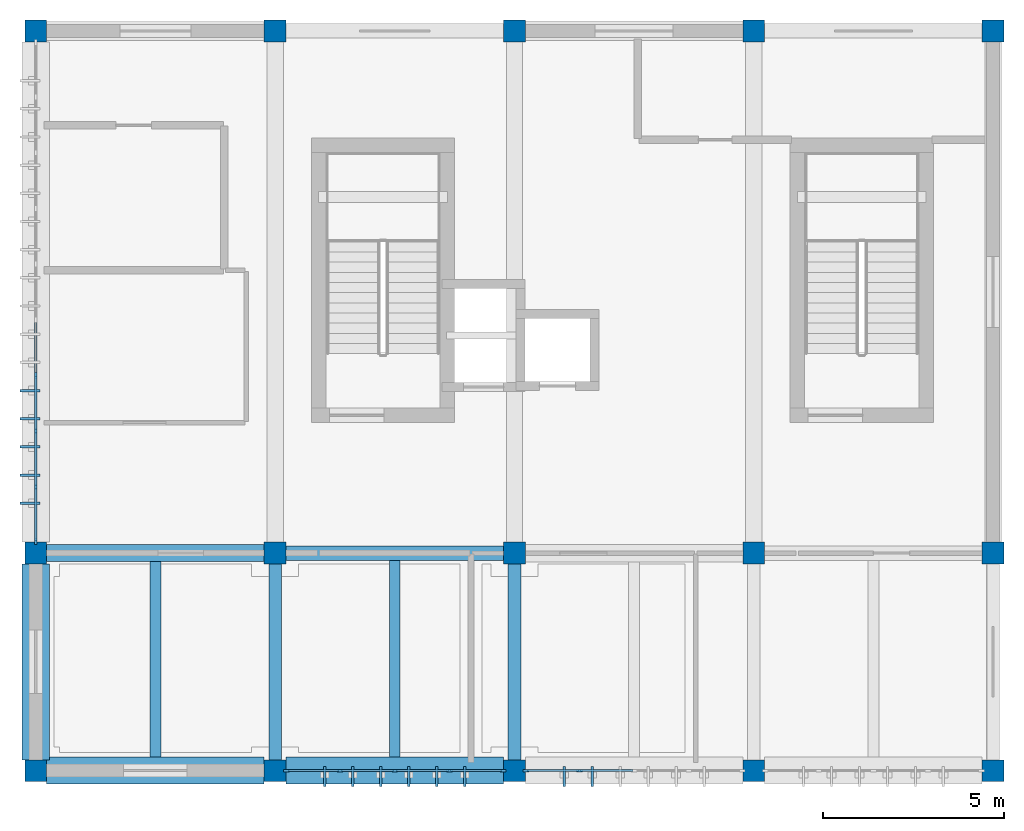
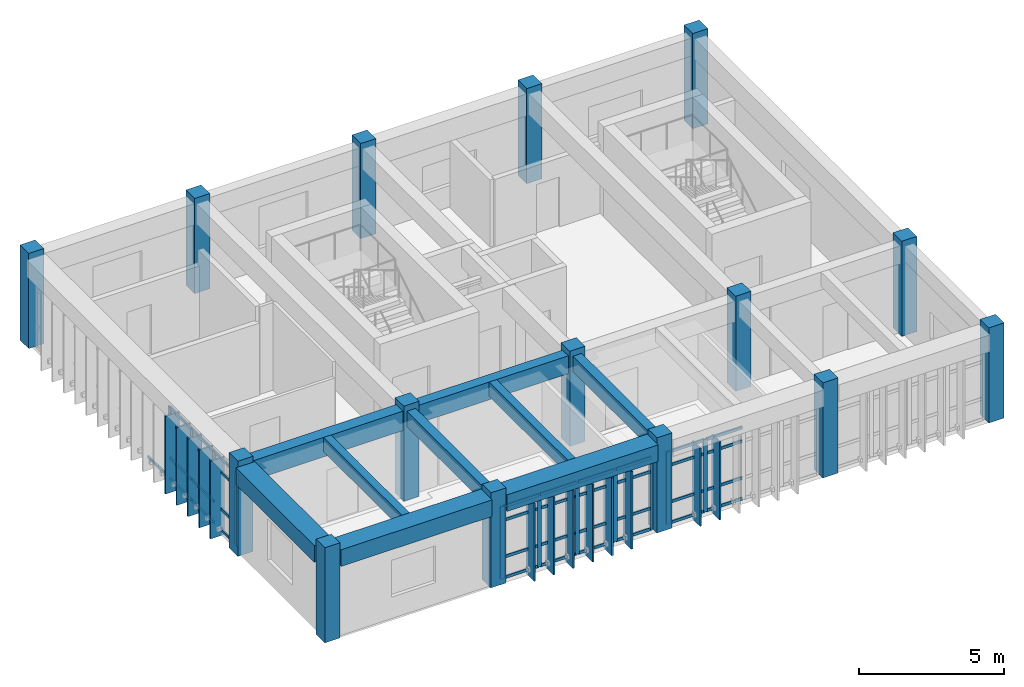
# One storey, part 1 of 7: 61 members, 15 columns, 9 beams, 3 elements without a shape of their own.
"""IFC4 building model written with IfcOpenShell, lengths in metres."""

from ifc_helpers import new_model, si_unit, direction, frame, origin, origin_2d, place, context, subcontext, project, spatial, rectangle, extrude, material, layer, layer_set, material_profile, profile_set, type_object, element, aggregate, save


model = new_model("IFC4")

# Units and contexts
model_context = context("Model", 3, precision=1e-05, world=origin(), true_north=direction((0.0, 1.0)))
body_context = subcontext(model_context, "Body", "Model", "MODEL_VIEW")
ifc_project = project(units=[si_unit("LENGTHUNIT", "METRE"), si_unit("AREAUNIT", "SQUARE_METRE"), si_unit("VOLUMEUNIT", "CUBIC_METRE"), si_unit("PLANEANGLEUNIT", "RADIAN"), si_unit("MASSUNIT", "GRAM", prefix="KILO")], contexts=[model_context])

# Site, building, storey
site_placement = place(None, origin())
site = spatial("IfcSite", under=ifc_project, at=site_placement, CompositionType="ELEMENT")
building_placement = place(site_placement, origin())
building = spatial("IfcBuilding", under=site, at=building_placement, Name="Miralva Faculty of Natural Sciences", CompositionType="ELEMENT")
storey_placement = place(building_placement, frame((0.0, 0.0, 40.60009765625)))
storey = spatial("IfcBuildingStorey", under=building, at=storey_placement, Name="L09", CompositionType="ELEMENT", Elevation=40.60009765625)

# Columns
ifc_material_1 = material(Name="Concrete C40/50", Category="concrete")
ifc_material_profile_1 = material_profile(ifc_material_1, rectangle(XDim=0.60009765625, YDim=0.60009765625, at=origin_2d()), Name="RC 600x600")
ifc_profile_set_1 = profile_set([ifc_material_profile_1], Name="Concrete C40/50")
column_type = type_object("IfcColumnType", Name="COL-C09", PredefinedType="COLUMN", material=ifc_profile_set_1)
for number, where, z_axis, x_axis, name in (
    (1, (3.0, 3.0, 0.0), (0.0, 0.0, 1.0), (1.0, 0.0, 0.0), "Column CS-V5-1A L09"),
    (2, (3.0, 9.0, 0.0), (0.0, 0.0, 1.0), (1.0, 0.0, 0.0), "Column CS-V5-1B L09"),
    (3, (3.0, 23.39990234375, 0.0), (0.0, 0.0, 1.0), (1.0, 0.0, 0.0), "Column CS-V5-1C L09"),
    (4, (9.60009765625, 3.0, 0.0), (0.0, 0.0, 1.0), (1.0, 0.0, 0.0), "Column CS-V5-2A L09"),
    (5, (9.60009765625, 9.0, 0.0), (0.0, 0.0, 1.0), (1.0, 0.0, 0.0), "Column CS-V5-2B L09"),
    (6, (9.60009765625, 23.39990234375, 0.0), (0.0, 0.0, 1.0), (1.0, 0.0, 0.0), "Column CS-V5-2C L09"),
    (7, (16.199951171875, 3.0, 0.0), (0.0, 0.0, 1.0), (1.0, 0.0, 0.0), "Column CS-V5-3A L09"),
    (8, (16.199951171875, 9.0, 0.0), (0.0, 0.0, 1.0), (1.0, 0.0, 0.0), "Column CS-V5-3B L09"),
    (9, (16.199951171875, 23.39990234375, 0.0), (0.0, 0.0, 1.0), (1.0, 0.0, 0.0), "Column CS-V5-3C L09"),
    (10, (22.800048828125, 3.0, 0.0), (0.0, 0.0, 1.0), (1.0, 0.0, 0.0), "Column CS-V5-4A L09"),
    (11, (22.800048828125, 9.0, 0.0), (0.0, 0.0, 1.0), (1.0, 0.0, 0.0), "Column CS-V5-4B L09"),
    (12, (22.800048828125, 23.39990234375, 0.0), (0.0, 0.0, 1.0), (1.0, 0.0, 0.0), "Column CS-V5-4C L09"),
    (13, (29.39990234375, 3.0, 0.0), (0.0, 0.0, 1.0), (1.0, 0.0, 0.0), "Column CS-V5-5A L09"),
    (14, (29.39990234375, 9.0, 0.0), (0.0, 0.0, 1.0), (1.0, 0.0, 0.0), "Column CS-V5-5B L09"),
    (15, (29.39990234375, 23.39990234375, 0.0), (0.0, 0.0, 1.0), (1.0, 0.0, 0.0), "Column CS-V5-5C L09"),
):
    element("IfcColumn", number, at=place(storey_placement, frame(where, z_axis=z_axis, x_axis=x_axis)), inside=storey, type_object=column_type, Name=name, PredefinedType="COLUMN", context=body_context, shape_type="SweptSolid", body=[
        extrude(rectangle(XDim=0.60009765625, YDim=0.60009765625, at=origin_2d()), origin(), (0.0, 0.0, 1.0), 4.0),
    ])

# Beams
ifc_material_profile_2 = material_profile(ifc_material_1, rectangle(XDim=0.39990234375, YDim=0.75, at=origin_2d()), Name="RC 400x750")
ifc_profile_set_2 = profile_set([ifc_material_profile_2], Name="Concrete C40/50")
beam_type_1 = type_object("IfcBeamType", Name="BM-B03", PredefinedType="BEAM", material=ifc_profile_set_2)
beam_1_placement = place(storey_placement, frame((9.89990234375, 9.0, 3.375), z_axis=(1.0, 0.0, 0.0), x_axis=(0.0, 1.0, 0.0)))
element("IfcBeam", 16, at=beam_1_placement, inside=storey, type_object=beam_type_1, Name="Girder EW L09-6", PredefinedType="BEAM", context=body_context, shape_type="SweptSolid", body=[
    extrude(rectangle(XDim=0.39990234375, YDim=0.75, at=origin_2d()), origin(), (0.0, 0.0, 1.0), 6.0),
])
ifc_material_profile_3 = material_profile(ifc_material_1, rectangle(XDim=0.35009765625, YDim=0.64990234375, at=origin_2d()), Name="RC 350x650")
ifc_profile_set_3 = profile_set([ifc_material_profile_3], Name="Concrete C40/50")
beam_type_2 = type_object("IfcBeamType", Name="BM-B05", PredefinedType="BEAM", material=ifc_profile_set_3)
for number, where, z_axis, x_axis, name in (
    (17, (9.60009765625, 3.300048828125, 3.4248046875), (0.0, 1.0, 0.0), (-1.0, 0.0, 0.0), "Girder NS L09-15"),
    (18, (16.199951171875, 3.300048828125, 3.4248046875), (0.0, 1.0, 0.0), (-1.0, 0.0, 0.0), "Girder NS L09-17"),
):
    element("IfcBeam", number, at=place(storey_placement, frame(where, z_axis=z_axis, x_axis=x_axis)), inside=storey, type_object=beam_type_2, Name=name, PredefinedType="BEAM", context=body_context, shape_type="SweptSolid", body=[
        extrude(rectangle(XDim=0.35009765625, YDim=0.64990234375, at=origin_2d()), origin(), (0.0, 0.0, 1.0), 5.39990234375),
    ])
ifc_material_profile_4 = material_profile(ifc_material_1, rectangle(XDim=0.4599609375, YDim=0.820068359375, at=origin_2d()), Name="RC 460x820")
ifc_profile_set_4 = profile_set([ifc_material_profile_4], Name="Concrete C40/50")
beam_type_3 = type_object("IfcBeamType", Name="BM-BG15", PredefinedType="BEAM", material=ifc_profile_set_4)
beam_2_placement = place(storey_placement, frame((3.300048828125, 9.0, 3.33984375), z_axis=(1.0, 0.0, 0.0), x_axis=(0.0, 1.0, 0.0)))
element("IfcBeam", 19, at=beam_2_placement, inside=storey, type_object=beam_type_3, Name="Girder EW L09-5", PredefinedType="BEAM", context=body_context, shape_type="SweptSolid", body=[
    extrude(rectangle(XDim=0.4599609375, YDim=0.820068359375, at=origin_2d()), origin(), (0.0, 0.0, 1.0), 6.0),
])
ifc_material_profile_5 = material_profile(ifc_material_1, rectangle(XDim=0.300048828125, YDim=0.60009765625, at=origin_2d()), Name="RC 300x600")
ifc_profile_set_5 = profile_set([ifc_material_profile_5], Name="Concrete C40/50")
beam_type_4 = type_object("IfcBeamType", Name="BM-J01", PredefinedType="JOIST", material=ifc_profile_set_5)
beam_3_placement = place(storey_placement, frame((6.300048828125, 3.375, 3.449951171875), z_axis=(0.0, 1.0, 0.0), x_axis=(-1.0, 0.0, 0.0)))
element("IfcBeam", 20, at=beam_3_placement, inside=storey, type_object=beam_type_4, Name="Floor joist L09-1", PredefinedType="JOIST", context=body_context, shape_type="SweptSolid", body=[
    extrude(rectangle(XDim=0.300048828125, YDim=0.60009765625, at=origin_2d()), origin(), (0.0, 0.0, 1.0), 5.39501953125),
])
beam_4_placement = place(storey_placement, frame((12.89990234375, 3.375, 3.449951171875), z_axis=(0.0, 1.0, 0.0), x_axis=(-1.0, 0.0, 0.0)))
element("IfcBeam", 21, at=beam_4_placement, inside=storey, type_object=beam_type_4, Name="Floor joist L09-2", PredefinedType="JOIST", context=body_context, shape_type="SweptSolid", body=[
    extrude(rectangle(XDim=0.300048828125, YDim=0.60009765625, at=origin_2d()), origin(), (0.0, 0.0, 1.0), 5.425048828125),
])
ifc_material_profile_6 = material_profile(ifc_material_1, rectangle(XDim=0.75, YDim=0.699951171875, at=origin_2d()), Name="RC 750x700")
ifc_profile_set_6 = profile_set([ifc_material_profile_6], Name="Concrete C40/50")
beam_type_5 = type_object("IfcBeamType", Name="BM-SP01", PredefinedType="SPANDREL", material=ifc_profile_set_6)
for number, where, z_axis, x_axis, name in (
    (22, (3.300048828125, 3.0, 3.39990234375), (1.0, 0.0, 0.0), (0.0, 1.0, 0.0), "Girder EW L09-1"),
    (23, (9.89990234375, 3.0, 3.39990234375), (1.0, 0.0, 0.0), (0.0, 1.0, 0.0), "Girder EW L09-2"),
):
    element("IfcBeam", number, at=place(storey_placement, frame(where, z_axis=z_axis, x_axis=x_axis)), inside=storey, type_object=beam_type_5, Name=name, PredefinedType="SPANDREL", context=body_context, shape_type="SweptSolid", body=[
        extrude(rectangle(XDim=0.75, YDim=0.699951171875, at=origin_2d()), origin(), (0.0, 0.0, 1.0), 6.0),
    ])
beam_5_placement = place(storey_placement, frame((3.0, 3.300048828125, 3.39990234375), z_axis=(0.0, 1.0, 0.0), x_axis=(-1.0, 0.0, 0.0)))
element("IfcBeam", 24, at=beam_5_placement, inside=storey, type_object=beam_type_5, Name="Girder NS L09-13", PredefinedType="SPANDREL", context=body_context, shape_type="SweptSolid", body=[
    extrude(rectangle(XDim=0.75, YDim=0.699951171875, at=origin_2d()), origin(), (0.0, 0.0, 1.0), 5.39990234375),
])

# Curtain wall, members
ifc_material_2 = material(Name="Laminated solar-control glass", Category="glass")
ifc_layer = layer(ifc_material_2, 0.179931640625, Name="CW-TWR-L07")
ifc_layer_set = layer_set([ifc_layer], Name="Laminated solar-control glass")
curtain_wall_type = type_object("IfcCurtainWallType", Name="CW-TWR-L07", PredefinedType="USERDEFINED", material=ifc_layer_set)
curtain_wall_1_placement = place(storey_placement, origin())
curtain_wall_1 = element("IfcCurtainWall", 25, at=curtain_wall_1_placement, inside=storey, type_object=curtain_wall_type, Name="Curtain wall CW-15 L09-251", ObjectType="UNITISED CURTAIN WALL", PredefinedType="USERDEFINED")
ifc_material_3 = material(Name="Anodised aluminium", Category="aluminium")
ifc_material_profile_7 = material_profile(ifc_material_3, rectangle(XDim=0.06494140625, YDim=0.159912109375, at=origin_2d()), Name="MULLION 65x160")
ifc_profile_set_7 = profile_set([ifc_material_profile_7], Name="Anodised aluminium")
member_type_1 = type_object("IfcMemberType", Name="CW-M02", PredefinedType="MULLION", material=ifc_profile_set_7)
member_1_placement = place(storey_placement, frame((9.91748046875, 3.0, 0.0), z_axis=(0.0, 0.0, 1.0), x_axis=(0.0, 1.0, 0.0)))
member_1 = element("IfcMember", 26, at=member_1_placement, type_object=member_type_1, Name="CW-15 mullion 1", PredefinedType="MULLION", context=body_context, shape_type="SweptSolid", body=[
    extrude(rectangle(XDim=0.06494140625, YDim=0.159912109375, at=origin_2d()), origin(), (0.0, 0.0, 1.0), 3.044921875),
])
member_2_placement = place(storey_placement, frame((11.392578125, 3.0, 0.0), z_axis=(0.0, 0.0, 1.0), x_axis=(0.0, 1.0, 0.0)))
member_2 = element("IfcMember", 27, at=member_2_placement, type_object=member_type_1, Name="CW-15 mullion 2", PredefinedType="MULLION", context=body_context, shape_type="SweptSolid", body=[
    extrude(rectangle(XDim=0.06494140625, YDim=0.159912109375, at=origin_2d()), origin(), (0.0, 0.0, 1.0), 3.044921875),
])
member_3_placement = place(storey_placement, frame((12.89990234375, 3.0, 0.0), z_axis=(0.0, 0.0, 1.0), x_axis=(0.0, 1.0, 0.0)))
member_3 = element("IfcMember", 28, at=member_3_placement, type_object=member_type_1, Name="CW-15 mullion 3", PredefinedType="MULLION", context=body_context, shape_type="SweptSolid", body=[
    extrude(rectangle(XDim=0.06494140625, YDim=0.159912109375, at=origin_2d()), origin(), (0.0, 0.0, 1.0), 3.044921875),
])
member_4_placement = place(storey_placement, frame((14.407470703125, 3.0, 0.0), z_axis=(0.0, 0.0, 1.0), x_axis=(0.0, 1.0, 0.0)))
member_4 = element("IfcMember", 29, at=member_4_placement, type_object=member_type_1, Name="CW-15 mullion 4", PredefinedType="MULLION", context=body_context, shape_type="SweptSolid", body=[
    extrude(rectangle(XDim=0.06494140625, YDim=0.159912109375, at=origin_2d()), origin(), (0.0, 0.0, 1.0), 3.044921875),
])
member_5_placement = place(storey_placement, frame((15.882568359375, 3.0, 0.0), z_axis=(0.0, 0.0, 1.0), x_axis=(0.0, 1.0, 0.0)))
member_5 = element("IfcMember", 30, at=member_5_placement, type_object=member_type_1, Name="CW-15 mullion 5", PredefinedType="MULLION", context=body_context, shape_type="SweptSolid", body=[
    extrude(rectangle(XDim=0.06494140625, YDim=0.159912109375, at=origin_2d()), origin(), (0.0, 0.0, 1.0), 3.044921875),
])

curtain_wall_2_placement = place(storey_placement, origin())
curtain_wall_2 = element("IfcCurtainWall", 31, at=curtain_wall_2_placement, inside=storey, type_object=curtain_wall_type, Name="Curtain wall CW-15 L09-252", ObjectType="UNITISED CURTAIN WALL", PredefinedType="USERDEFINED")
member_6_placement = place(storey_placement, frame((16.517578125, 3.0, 0.0), z_axis=(0.0, 0.0, 1.0), x_axis=(0.0, 1.0, 0.0)))
member_6 = element("IfcMember", 32, at=member_6_placement, type_object=member_type_1, Name="CW-15 mullion 1", PredefinedType="MULLION", context=body_context, shape_type="SweptSolid", body=[
    extrude(rectangle(XDim=0.06494140625, YDim=0.159912109375, at=origin_2d()), origin(), (0.0, 0.0, 1.0), 3.044921875),
])
member_7_placement = place(storey_placement, frame((17.992431640625, 3.0, 0.0), z_axis=(0.0, 0.0, 1.0), x_axis=(0.0, 1.0, 0.0)))
member_7 = element("IfcMember", 33, at=member_7_placement, type_object=member_type_1, Name="CW-15 mullion 2", PredefinedType="MULLION", context=body_context, shape_type="SweptSolid", body=[
    extrude(rectangle(XDim=0.06494140625, YDim=0.159912109375, at=origin_2d()), origin(), (0.0, 0.0, 1.0), 3.044921875),
])

curtain_wall_3_placement = place(storey_placement, origin())
curtain_wall_3 = element("IfcCurtainWall", 34, at=curtain_wall_3_placement, inside=storey, type_object=curtain_wall_type, Name="Curtain wall CW-15 L09-254", ObjectType="UNITISED CURTAIN WALL", PredefinedType="USERDEFINED")
member_8_placement = place(storey_placement, frame((3.0, 9.3173828125, 0.0), z_axis=(0.0, 0.0, 1.0), x_axis=(-1.0, 0.0, 0.0)))
member_8 = element("IfcMember", 35, at=member_8_placement, type_object=member_type_1, Name="CW-15 mullion 1", PredefinedType="MULLION", context=body_context, shape_type="SweptSolid", body=[
    extrude(rectangle(XDim=0.06494140625, YDim=0.159912109375, at=origin_2d()), origin(), (0.0, 0.0, 1.0), 3.044921875),
])
member_9_placement = place(storey_placement, frame((3.0, 10.82177734375, 0.0), z_axis=(0.0, 0.0, 1.0), x_axis=(-1.0, 0.0, 0.0)))
member_9 = element("IfcMember", 36, at=member_9_placement, type_object=member_type_1, Name="CW-15 mullion 2", PredefinedType="MULLION", context=body_context, shape_type="SweptSolid", body=[
    extrude(rectangle(XDim=0.06494140625, YDim=0.159912109375, at=origin_2d()), origin(), (0.0, 0.0, 1.0), 3.044921875),
])
member_10_placement = place(storey_placement, frame((3.0, 12.3583984375, 0.0), z_axis=(0.0, 0.0, 1.0), x_axis=(-1.0, 0.0, 0.0)))
member_10 = element("IfcMember", 37, at=member_10_placement, type_object=member_type_1, Name="CW-15 mullion 3", PredefinedType="MULLION", context=body_context, shape_type="SweptSolid", body=[
    extrude(rectangle(XDim=0.06494140625, YDim=0.159912109375, at=origin_2d()), origin(), (0.0, 0.0, 1.0), 3.044921875),
])
member_11_placement = place(storey_placement, frame((3.0, 13.89501953125, 0.0), z_axis=(0.0, 0.0, 1.0), x_axis=(-1.0, 0.0, 0.0)))
member_11 = element("IfcMember", 38, at=member_11_placement, type_object=member_type_1, Name="CW-15 mullion 4", PredefinedType="MULLION", context=body_context, shape_type="SweptSolid", body=[
    extrude(rectangle(XDim=0.06494140625, YDim=0.159912109375, at=origin_2d()), origin(), (0.0, 0.0, 1.0), 3.044921875),
])

# Member
ifc_material_profile_8 = material_profile(ifc_material_3, rectangle(XDim=0.06005859375, YDim=0.1201171875, at=origin_2d()), Name="TRANSOM 60x120")
ifc_profile_set_8 = profile_set([ifc_material_profile_8], Name="Anodised aluminium")
member_type_2 = type_object("IfcMemberType", Name="CW-T02", PredefinedType="USERDEFINED", material=ifc_profile_set_8)
member_12_placement = place(storey_placement, frame((9.949951171875, 3.0, 0.02978515625), z_axis=(1.0, 0.0, 0.0), x_axis=(0.0, 1.0, 0.0)))
member_12 = element("IfcMember", 39, at=member_12_placement, type_object=member_type_2, Name="CW-15 transom 1.1", ObjectType="TRANSOM", PredefinedType="USERDEFINED", context=body_context, shape_type="SweptSolid", body=[
    extrude(rectangle(XDim=0.06005859375, YDim=0.1201171875, at=origin_2d()), origin(), (0.0, 0.0, 1.0), 1.41015625),
])

member_13_placement = place(storey_placement, frame((9.949951171875, 3.0, 0.89990234375), z_axis=(1.0, 0.0, 0.0), x_axis=(0.0, 1.0, 0.0)))
member_13 = element("IfcMember", 40, at=member_13_placement, type_object=member_type_2, Name="CW-15 transom 1.2", ObjectType="TRANSOM", PredefinedType="USERDEFINED", context=body_context, shape_type="SweptSolid", body=[
    extrude(rectangle(XDim=0.06005859375, YDim=0.1201171875, at=origin_2d()), origin(), (0.0, 0.0, 1.0), 1.41015625),
])

member_14_placement = place(storey_placement, frame((9.949951171875, 3.0, 2.44482421875), z_axis=(1.0, 0.0, 0.0), x_axis=(0.0, 1.0, 0.0)))
member_14 = element("IfcMember", 41, at=member_14_placement, type_object=member_type_2, Name="CW-15 transom 1.3", ObjectType="TRANSOM", PredefinedType="USERDEFINED", context=body_context, shape_type="SweptSolid", body=[
    extrude(rectangle(XDim=0.06005859375, YDim=0.1201171875, at=origin_2d()), origin(), (0.0, 0.0, 1.0), 1.41015625),
])

member_15_placement = place(storey_placement, frame((9.949951171875, 3.0, 3.014892578125), z_axis=(1.0, 0.0, 0.0), x_axis=(0.0, 1.0, 0.0)))
member_15 = element("IfcMember", 42, at=member_15_placement, type_object=member_type_2, Name="CW-15 transom 1.4", ObjectType="TRANSOM", PredefinedType="USERDEFINED", context=body_context, shape_type="SweptSolid", body=[
    extrude(rectangle(XDim=0.06005859375, YDim=0.1201171875, at=origin_2d()), origin(), (0.0, 0.0, 1.0), 1.41015625),
])

member_16_placement = place(storey_placement, frame((11.425048828125, 3.0, 0.02978515625), z_axis=(1.0, 0.0, 0.0), x_axis=(0.0, 1.0, 0.0)))
member_16 = element("IfcMember", 43, at=member_16_placement, type_object=member_type_2, Name="CW-15 transom 2.1", ObjectType="TRANSOM", PredefinedType="USERDEFINED", context=body_context, shape_type="SweptSolid", body=[
    extrude(rectangle(XDim=0.06005859375, YDim=0.1201171875, at=origin_2d()), origin(), (0.0, 0.0, 1.0), 1.4423828125),
])

member_17_placement = place(storey_placement, frame((11.425048828125, 3.0, 0.89990234375), z_axis=(1.0, 0.0, 0.0), x_axis=(0.0, 1.0, 0.0)))
member_17 = element("IfcMember", 44, at=member_17_placement, type_object=member_type_2, Name="CW-15 transom 2.2", ObjectType="TRANSOM", PredefinedType="USERDEFINED", context=body_context, shape_type="SweptSolid", body=[
    extrude(rectangle(XDim=0.06005859375, YDim=0.1201171875, at=origin_2d()), origin(), (0.0, 0.0, 1.0), 1.4423828125),
])

member_18_placement = place(storey_placement, frame((11.425048828125, 3.0, 2.44482421875), z_axis=(1.0, 0.0, 0.0), x_axis=(0.0, 1.0, 0.0)))
member_18 = element("IfcMember", 45, at=member_18_placement, type_object=member_type_2, Name="CW-15 transom 2.3", ObjectType="TRANSOM", PredefinedType="USERDEFINED", context=body_context, shape_type="SweptSolid", body=[
    extrude(rectangle(XDim=0.06005859375, YDim=0.1201171875, at=origin_2d()), origin(), (0.0, 0.0, 1.0), 1.4423828125),
])

member_19_placement = place(storey_placement, frame((11.425048828125, 3.0, 3.014892578125), z_axis=(1.0, 0.0, 0.0), x_axis=(0.0, 1.0, 0.0)))
member_19 = element("IfcMember", 46, at=member_19_placement, type_object=member_type_2, Name="CW-15 transom 2.4", ObjectType="TRANSOM", PredefinedType="USERDEFINED", context=body_context, shape_type="SweptSolid", body=[
    extrude(rectangle(XDim=0.06005859375, YDim=0.1201171875, at=origin_2d()), origin(), (0.0, 0.0, 1.0), 1.4423828125),
])

member_20_placement = place(storey_placement, frame((12.9326171875, 3.0, 0.02978515625), z_axis=(1.0, 0.0, 0.0), x_axis=(0.0, 1.0, 0.0)))
member_20 = element("IfcMember", 47, at=member_20_placement, type_object=member_type_2, Name="CW-15 transom 3.1", ObjectType="TRANSOM", PredefinedType="USERDEFINED", context=body_context, shape_type="SweptSolid", body=[
    extrude(rectangle(XDim=0.06005859375, YDim=0.1201171875, at=origin_2d()), origin(), (0.0, 0.0, 1.0), 1.4423828125),
])

member_21_placement = place(storey_placement, frame((12.9326171875, 3.0, 0.89990234375), z_axis=(1.0, 0.0, 0.0), x_axis=(0.0, 1.0, 0.0)))
member_21 = element("IfcMember", 48, at=member_21_placement, type_object=member_type_2, Name="CW-15 transom 3.2", ObjectType="TRANSOM", PredefinedType="USERDEFINED", context=body_context, shape_type="SweptSolid", body=[
    extrude(rectangle(XDim=0.06005859375, YDim=0.1201171875, at=origin_2d()), origin(), (0.0, 0.0, 1.0), 1.4423828125),
])

member_22_placement = place(storey_placement, frame((12.9326171875, 3.0, 2.44482421875), z_axis=(1.0, 0.0, 0.0), x_axis=(0.0, 1.0, 0.0)))
member_22 = element("IfcMember", 49, at=member_22_placement, type_object=member_type_2, Name="CW-15 transom 3.3", ObjectType="TRANSOM", PredefinedType="USERDEFINED", context=body_context, shape_type="SweptSolid", body=[
    extrude(rectangle(XDim=0.06005859375, YDim=0.1201171875, at=origin_2d()), origin(), (0.0, 0.0, 1.0), 1.4423828125),
])

member_23_placement = place(storey_placement, frame((12.9326171875, 3.0, 3.014892578125), z_axis=(1.0, 0.0, 0.0), x_axis=(0.0, 1.0, 0.0)))
member_23 = element("IfcMember", 50, at=member_23_placement, type_object=member_type_2, Name="CW-15 transom 3.4", ObjectType="TRANSOM", PredefinedType="USERDEFINED", context=body_context, shape_type="SweptSolid", body=[
    extrude(rectangle(XDim=0.06005859375, YDim=0.1201171875, at=origin_2d()), origin(), (0.0, 0.0, 1.0), 1.4423828125),
])

member_24_placement = place(storey_placement, frame((14.43994140625, 3.0, 0.02978515625), z_axis=(1.0, 0.0, 0.0), x_axis=(0.0, 1.0, 0.0)))
member_24 = element("IfcMember", 51, at=member_24_placement, type_object=member_type_2, Name="CW-15 transom 4.1", ObjectType="TRANSOM", PredefinedType="USERDEFINED", context=body_context, shape_type="SweptSolid", body=[
    extrude(rectangle(XDim=0.06005859375, YDim=0.1201171875, at=origin_2d()), origin(), (0.0, 0.0, 1.0), 1.41015625),
])

member_25_placement = place(storey_placement, frame((14.43994140625, 3.0, 0.89990234375), z_axis=(1.0, 0.0, 0.0), x_axis=(0.0, 1.0, 0.0)))
member_25 = element("IfcMember", 52, at=member_25_placement, type_object=member_type_2, Name="CW-15 transom 4.2", ObjectType="TRANSOM", PredefinedType="USERDEFINED", context=body_context, shape_type="SweptSolid", body=[
    extrude(rectangle(XDim=0.06005859375, YDim=0.1201171875, at=origin_2d()), origin(), (0.0, 0.0, 1.0), 1.41015625),
])

member_26_placement = place(storey_placement, frame((14.43994140625, 3.0, 2.44482421875), z_axis=(1.0, 0.0, 0.0), x_axis=(0.0, 1.0, 0.0)))
member_26 = element("IfcMember", 53, at=member_26_placement, type_object=member_type_2, Name="CW-15 transom 4.3", ObjectType="TRANSOM", PredefinedType="USERDEFINED", context=body_context, shape_type="SweptSolid", body=[
    extrude(rectangle(XDim=0.06005859375, YDim=0.1201171875, at=origin_2d()), origin(), (0.0, 0.0, 1.0), 1.41015625),
])

member_27_placement = place(storey_placement, frame((14.43994140625, 3.0, 3.014892578125), z_axis=(1.0, 0.0, 0.0), x_axis=(0.0, 1.0, 0.0)))
member_27 = element("IfcMember", 54, at=member_27_placement, type_object=member_type_2, Name="CW-15 transom 4.4", ObjectType="TRANSOM", PredefinedType="USERDEFINED", context=body_context, shape_type="SweptSolid", body=[
    extrude(rectangle(XDim=0.06005859375, YDim=0.1201171875, at=origin_2d()), origin(), (0.0, 0.0, 1.0), 1.41015625),
])

aggregate(curtain_wall_1, [member_1, member_2, member_3, member_4, member_5, member_12, member_13, member_14, member_15, member_16, member_17, member_18, member_19, member_20, member_21, member_22, member_23, member_24, member_25, member_26, member_27])

member_28_placement = place(storey_placement, frame((16.550048828125, 3.0, 0.02978515625), z_axis=(1.0, 0.0, 0.0), x_axis=(0.0, 1.0, 0.0)))
member_28 = element("IfcMember", 55, at=member_28_placement, type_object=member_type_2, Name="CW-15 transom 1.1", ObjectType="TRANSOM", PredefinedType="USERDEFINED", context=body_context, shape_type="SweptSolid", body=[
    extrude(rectangle(XDim=0.06005859375, YDim=0.1201171875, at=origin_2d()), origin(), (0.0, 0.0, 1.0), 1.409912109375),
])

member_29_placement = place(storey_placement, frame((16.550048828125, 3.0, 0.89990234375), z_axis=(1.0, 0.0, 0.0), x_axis=(0.0, 1.0, 0.0)))
member_29 = element("IfcMember", 56, at=member_29_placement, type_object=member_type_2, Name="CW-15 transom 1.2", ObjectType="TRANSOM", PredefinedType="USERDEFINED", context=body_context, shape_type="SweptSolid", body=[
    extrude(rectangle(XDim=0.06005859375, YDim=0.1201171875, at=origin_2d()), origin(), (0.0, 0.0, 1.0), 1.409912109375),
])

member_30_placement = place(storey_placement, frame((16.550048828125, 3.0, 2.44482421875), z_axis=(1.0, 0.0, 0.0), x_axis=(0.0, 1.0, 0.0)))
member_30 = element("IfcMember", 57, at=member_30_placement, type_object=member_type_2, Name="CW-15 transom 1.3", ObjectType="TRANSOM", PredefinedType="USERDEFINED", context=body_context, shape_type="SweptSolid", body=[
    extrude(rectangle(XDim=0.06005859375, YDim=0.1201171875, at=origin_2d()), origin(), (0.0, 0.0, 1.0), 1.409912109375),
])

member_31_placement = place(storey_placement, frame((16.550048828125, 3.0, 3.014892578125), z_axis=(1.0, 0.0, 0.0), x_axis=(0.0, 1.0, 0.0)))
member_31 = element("IfcMember", 58, at=member_31_placement, type_object=member_type_2, Name="CW-15 transom 1.4", ObjectType="TRANSOM", PredefinedType="USERDEFINED", context=body_context, shape_type="SweptSolid", body=[
    extrude(rectangle(XDim=0.06005859375, YDim=0.1201171875, at=origin_2d()), origin(), (0.0, 0.0, 1.0), 1.409912109375),
])

member_32_placement = place(storey_placement, frame((18.02490234375, 3.0, 0.02978515625), z_axis=(1.0, 0.0, 0.0), x_axis=(0.0, 1.0, 0.0)))
member_32 = element("IfcMember", 59, at=member_32_placement, type_object=member_type_2, Name="CW-15 transom 2.1", ObjectType="TRANSOM", PredefinedType="USERDEFINED", context=body_context, shape_type="SweptSolid", body=[
    extrude(rectangle(XDim=0.06005859375, YDim=0.1201171875, at=origin_2d()), origin(), (0.0, 0.0, 1.0), 1.442626953125),
])

member_33_placement = place(storey_placement, frame((18.02490234375, 3.0, 0.89990234375), z_axis=(1.0, 0.0, 0.0), x_axis=(0.0, 1.0, 0.0)))
member_33 = element("IfcMember", 60, at=member_33_placement, type_object=member_type_2, Name="CW-15 transom 2.2", ObjectType="TRANSOM", PredefinedType="USERDEFINED", context=body_context, shape_type="SweptSolid", body=[
    extrude(rectangle(XDim=0.06005859375, YDim=0.1201171875, at=origin_2d()), origin(), (0.0, 0.0, 1.0), 1.442626953125),
])

member_34_placement = place(storey_placement, frame((18.02490234375, 3.0, 2.44482421875), z_axis=(1.0, 0.0, 0.0), x_axis=(0.0, 1.0, 0.0)))
member_34 = element("IfcMember", 61, at=member_34_placement, type_object=member_type_2, Name="CW-15 transom 2.3", ObjectType="TRANSOM", PredefinedType="USERDEFINED", context=body_context, shape_type="SweptSolid", body=[
    extrude(rectangle(XDim=0.06005859375, YDim=0.1201171875, at=origin_2d()), origin(), (0.0, 0.0, 1.0), 1.442626953125),
])

member_35_placement = place(storey_placement, frame((18.02490234375, 3.0, 3.014892578125), z_axis=(1.0, 0.0, 0.0), x_axis=(0.0, 1.0, 0.0)))
member_35 = element("IfcMember", 62, at=member_35_placement, type_object=member_type_2, Name="CW-15 transom 2.4", ObjectType="TRANSOM", PredefinedType="USERDEFINED", context=body_context, shape_type="SweptSolid", body=[
    extrude(rectangle(XDim=0.06005859375, YDim=0.1201171875, at=origin_2d()), origin(), (0.0, 0.0, 1.0), 1.442626953125),
])

aggregate(curtain_wall_2, [member_6, member_7, member_28, member_29, member_30, member_31, member_32, member_33, member_34, member_35])

member_36_placement = place(storey_placement, frame((3.0, 9.35009765625, 0.02978515625), z_axis=(0.0, 1.0, 0.0), x_axis=(-1.0, 0.0, 0.0)))
member_36 = element("IfcMember", 63, at=member_36_placement, type_object=member_type_2, Name="CW-15 transom 1.1", ObjectType="TRANSOM", PredefinedType="USERDEFINED", context=body_context, shape_type="SweptSolid", body=[
    extrude(rectangle(XDim=0.06005859375, YDim=0.1201171875, at=origin_2d()), origin(), (0.0, 0.0, 1.0), 1.43896484375),
])

member_37_placement = place(storey_placement, frame((3.0, 9.35009765625, 0.89990234375), z_axis=(0.0, 1.0, 0.0), x_axis=(-1.0, 0.0, 0.0)))
member_37 = element("IfcMember", 64, at=member_37_placement, type_object=member_type_2, Name="CW-15 transom 1.2", ObjectType="TRANSOM", PredefinedType="USERDEFINED", context=body_context, shape_type="SweptSolid", body=[
    extrude(rectangle(XDim=0.06005859375, YDim=0.1201171875, at=origin_2d()), origin(), (0.0, 0.0, 1.0), 1.43896484375),
])

member_38_placement = place(storey_placement, frame((3.0, 9.35009765625, 2.44482421875), z_axis=(0.0, 1.0, 0.0), x_axis=(-1.0, 0.0, 0.0)))
member_38 = element("IfcMember", 65, at=member_38_placement, type_object=member_type_2, Name="CW-15 transom 1.3", ObjectType="TRANSOM", PredefinedType="USERDEFINED", context=body_context, shape_type="SweptSolid", body=[
    extrude(rectangle(XDim=0.06005859375, YDim=0.1201171875, at=origin_2d()), origin(), (0.0, 0.0, 1.0), 1.43896484375),
])

member_39_placement = place(storey_placement, frame((3.0, 9.35009765625, 3.014892578125), z_axis=(0.0, 1.0, 0.0), x_axis=(-1.0, 0.0, 0.0)))
member_39 = element("IfcMember", 66, at=member_39_placement, type_object=member_type_2, Name="CW-15 transom 1.4", ObjectType="TRANSOM", PredefinedType="USERDEFINED", context=body_context, shape_type="SweptSolid", body=[
    extrude(rectangle(XDim=0.06005859375, YDim=0.1201171875, at=origin_2d()), origin(), (0.0, 0.0, 1.0), 1.43896484375),
])

member_40_placement = place(storey_placement, frame((3.0, 10.854248046875, 0.02978515625), z_axis=(0.0, 1.0, 0.0), x_axis=(-1.0, 0.0, 0.0)))
member_40 = element("IfcMember", 67, at=member_40_placement, type_object=member_type_2, Name="CW-15 transom 2.1", ObjectType="TRANSOM", PredefinedType="USERDEFINED", context=body_context, shape_type="SweptSolid", body=[
    extrude(rectangle(XDim=0.06005859375, YDim=0.1201171875, at=origin_2d()), origin(), (0.0, 0.0, 1.0), 1.4716796875),
])

member_41_placement = place(storey_placement, frame((3.0, 10.854248046875, 0.89990234375), z_axis=(0.0, 1.0, 0.0), x_axis=(-1.0, 0.0, 0.0)))
member_41 = element("IfcMember", 68, at=member_41_placement, type_object=member_type_2, Name="CW-15 transom 2.2", ObjectType="TRANSOM", PredefinedType="USERDEFINED", context=body_context, shape_type="SweptSolid", body=[
    extrude(rectangle(XDim=0.06005859375, YDim=0.1201171875, at=origin_2d()), origin(), (0.0, 0.0, 1.0), 1.4716796875),
])

member_42_placement = place(storey_placement, frame((3.0, 10.854248046875, 2.44482421875), z_axis=(0.0, 1.0, 0.0), x_axis=(-1.0, 0.0, 0.0)))
member_42 = element("IfcMember", 69, at=member_42_placement, type_object=member_type_2, Name="CW-15 transom 2.3", ObjectType="TRANSOM", PredefinedType="USERDEFINED", context=body_context, shape_type="SweptSolid", body=[
    extrude(rectangle(XDim=0.06005859375, YDim=0.1201171875, at=origin_2d()), origin(), (0.0, 0.0, 1.0), 1.4716796875),
])

member_43_placement = place(storey_placement, frame((3.0, 10.854248046875, 3.014892578125), z_axis=(0.0, 1.0, 0.0), x_axis=(-1.0, 0.0, 0.0)))
member_43 = element("IfcMember", 70, at=member_43_placement, type_object=member_type_2, Name="CW-15 transom 2.4", ObjectType="TRANSOM", PredefinedType="USERDEFINED", context=body_context, shape_type="SweptSolid", body=[
    extrude(rectangle(XDim=0.06005859375, YDim=0.1201171875, at=origin_2d()), origin(), (0.0, 0.0, 1.0), 1.4716796875),
])

member_44_placement = place(storey_placement, frame((3.0, 12.390869140625, 0.02978515625), z_axis=(0.0, 1.0, 0.0), x_axis=(-1.0, 0.0, 0.0)))
member_44 = element("IfcMember", 71, at=member_44_placement, type_object=member_type_2, Name="CW-15 transom 3.1", ObjectType="TRANSOM", PredefinedType="USERDEFINED", context=body_context, shape_type="SweptSolid", body=[
    extrude(rectangle(XDim=0.06005859375, YDim=0.1201171875, at=origin_2d()), origin(), (0.0, 0.0, 1.0), 1.4716796875),
])

member_45_placement = place(storey_placement, frame((3.0, 12.390869140625, 0.89990234375), z_axis=(0.0, 1.0, 0.0), x_axis=(-1.0, 0.0, 0.0)))
member_45 = element("IfcMember", 72, at=member_45_placement, type_object=member_type_2, Name="CW-15 transom 3.2", ObjectType="TRANSOM", PredefinedType="USERDEFINED", context=body_context, shape_type="SweptSolid", body=[
    extrude(rectangle(XDim=0.06005859375, YDim=0.1201171875, at=origin_2d()), origin(), (0.0, 0.0, 1.0), 1.4716796875),
])

member_46_placement = place(storey_placement, frame((3.0, 12.390869140625, 2.44482421875), z_axis=(0.0, 1.0, 0.0), x_axis=(-1.0, 0.0, 0.0)))
member_46 = element("IfcMember", 73, at=member_46_placement, type_object=member_type_2, Name="CW-15 transom 3.3", ObjectType="TRANSOM", PredefinedType="USERDEFINED", context=body_context, shape_type="SweptSolid", body=[
    extrude(rectangle(XDim=0.06005859375, YDim=0.1201171875, at=origin_2d()), origin(), (0.0, 0.0, 1.0), 1.4716796875),
])

member_47_placement = place(storey_placement, frame((3.0, 12.390869140625, 3.014892578125), z_axis=(0.0, 1.0, 0.0), x_axis=(-1.0, 0.0, 0.0)))
member_47 = element("IfcMember", 74, at=member_47_placement, type_object=member_type_2, Name="CW-15 transom 3.4", ObjectType="TRANSOM", PredefinedType="USERDEFINED", context=body_context, shape_type="SweptSolid", body=[
    extrude(rectangle(XDim=0.06005859375, YDim=0.1201171875, at=origin_2d()), origin(), (0.0, 0.0, 1.0), 1.4716796875),
])

member_48_placement = place(storey_placement, frame((3.0, 13.927490234375, 0.02978515625), z_axis=(0.0, 1.0, 0.0), x_axis=(-1.0, 0.0, 0.0)))
member_48 = element("IfcMember", 75, at=member_48_placement, type_object=member_type_2, Name="CW-15 transom 4.1", ObjectType="TRANSOM", PredefinedType="USERDEFINED", context=body_context, shape_type="SweptSolid", body=[
    extrude(rectangle(XDim=0.06005859375, YDim=0.1201171875, at=origin_2d()), origin(), (0.0, 0.0, 1.0), 1.4716796875),
])

aggregate(curtain_wall_3, [member_8, member_9, member_10, member_11, member_36, member_37, member_38, member_39, member_40, member_41, member_42, member_43, member_44, member_45, member_46, member_47, member_48])

# Members
ifc_material_profile_9 = material_profile(ifc_material_3, rectangle(XDim=0.06494140625, YDim=0.550048828125, at=origin_2d()), Name="FIN 550x65")
ifc_profile_set_9 = profile_set([ifc_material_profile_9], Name="Anodised aluminium")
member_type_3 = type_object("IfcMemberType", Name="MEM-SF03", PredefinedType="USERDEFINED", material=ifc_profile_set_9)
for number, where, z_axis, x_axis, name in (
    (76, (10.970703125, 2.840087890625, -0.22021484375), (0.0, 0.0, 1.0), (1.0, 0.0, 0.0), "Solar shading fin SF-03 L09-468"),
    (77, (11.742431640625, 2.840087890625, -0.22021484375), (0.0, 0.0, 1.0), (1.0, 0.0, 0.0), "Solar shading fin SF-03 L09-469"),
    (78, (12.51416015625, 2.840087890625, -0.22021484375), (0.0, 0.0, 1.0), (1.0, 0.0, 0.0), "Solar shading fin SF-03 L09-470"),
    (79, (13.285888671875, 2.840087890625, -0.22021484375), (0.0, 0.0, 1.0), (1.0, 0.0, 0.0), "Solar shading fin SF-03 L09-471"),
    (80, (14.0576171875, 2.840087890625, -0.22021484375), (0.0, 0.0, 1.0), (1.0, 0.0, 0.0), "Solar shading fin SF-03 L09-472"),
    (81, (14.8291015625, 2.840087890625, -0.22021484375), (0.0, 0.0, 1.0), (1.0, 0.0, 0.0), "Solar shading fin SF-03 L09-473"),
    (82, (17.57080078125, 2.840087890625, -0.22021484375), (0.0, 0.0, 1.0), (1.0, 0.0, 0.0), "Solar shading fin SF-03 L09-474"),
    (83, (18.342529296875, 2.840087890625, -0.22021484375), (0.0, 0.0, 1.0), (1.0, 0.0, 0.0), "Solar shading fin SF-03 L09-475"),
    (84, (2.840087890625, 10.373291015625, -0.22021484375), (0.0, 0.0, 1.0), (0.0, -1.0, 0.0), "Solar shading fin SF-03 L09-486"),
    (85, (2.840087890625, 11.150390625, -0.22021484375), (0.0, 0.0, 1.0), (0.0, -1.0, 0.0), "Solar shading fin SF-03 L09-487"),
    (86, (2.840087890625, 11.92724609375, -0.22021484375), (0.0, 0.0, 1.0), (0.0, -1.0, 0.0), "Solar shading fin SF-03 L09-488"),
    (87, (2.840087890625, 12.7041015625, -0.22021484375), (0.0, 0.0, 1.0), (0.0, -1.0, 0.0), "Solar shading fin SF-03 L09-489"),
    (88, (2.840087890625, 13.48095703125, -0.22021484375), (0.0, 0.0, 1.0), (0.0, -1.0, 0.0), "Solar shading fin SF-03 L09-490"),
):
    element("IfcMember", number, at=place(storey_placement, frame(where, z_axis=z_axis, x_axis=x_axis)), inside=storey, type_object=member_type_3, Name=name, ObjectType="SUNSHADE", PredefinedType="USERDEFINED", context=body_context, shape_type="SweptSolid", body=[
        extrude(rectangle(XDim=0.06494140625, YDim=0.550048828125, at=origin_2d()), origin(), (0.0, 0.0, 1.0), 3.26513671875),
    ])

save(model, "model.ifc")
